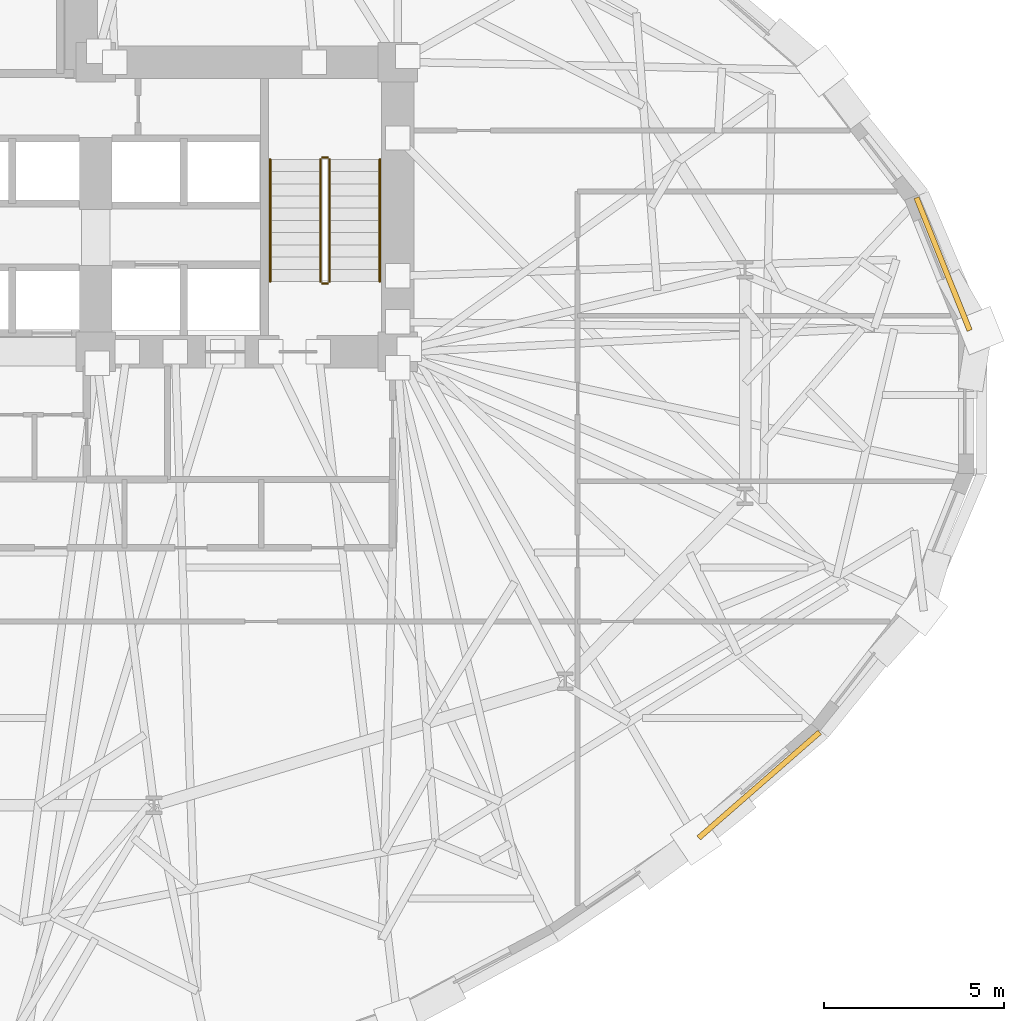
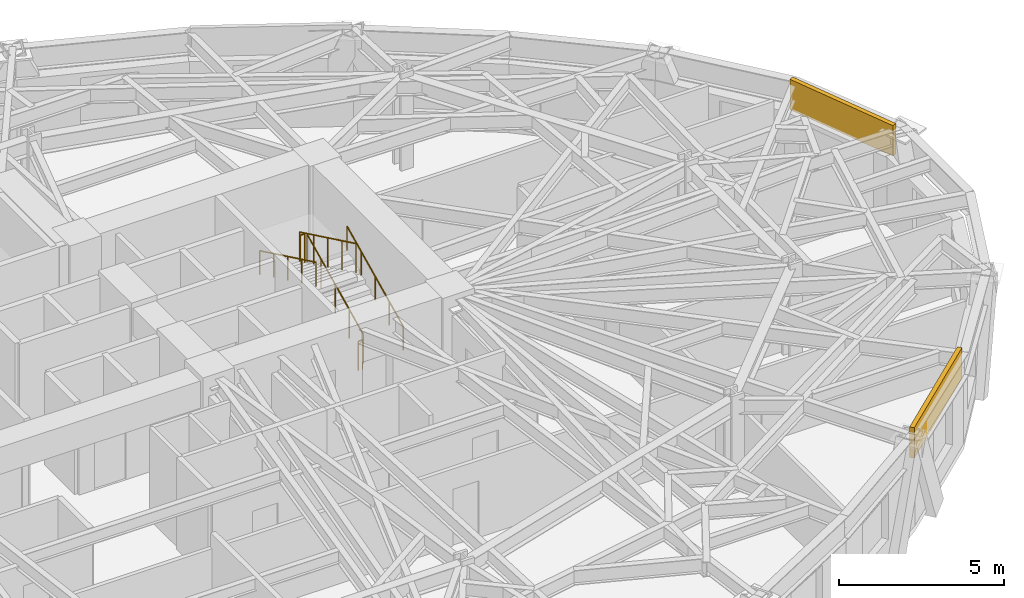
# One storey, part 13 of 14: 6 railings, 2 coverings.
"""IFC4 building model written with IfcOpenShell, lengths in metres."""

from ifc_helpers import new_model, si_unit, direction, frame, origin, origin_2d, place, context, subcontext, project, spatial, rectangle, circle, extrude, material, layer, layer_set, type_object, element, save


model = new_model("IFC4")

# Units and contexts
model_context = context("Model", 3, precision=1e-05, world=origin(), true_north=direction((0.0, 1.0)))
body_context = subcontext(model_context, "Body", "Model", "MODEL_VIEW")
ifc_project = project(units=[si_unit("LENGTHUNIT", "METRE"), si_unit("AREAUNIT", "SQUARE_METRE"), si_unit("VOLUMEUNIT", "CUBIC_METRE"), si_unit("PLANEANGLEUNIT", "RADIAN"), si_unit("MASSUNIT", "GRAM", prefix="KILO")], contexts=[model_context])

# Site, building, storey
site_placement = place(None, origin())
site = spatial("IfcSite", under=ifc_project, at=site_placement, CompositionType="ELEMENT")
building_placement = place(site_placement, origin())
building = spatial("IfcBuilding", under=site, at=building_placement, Name="Keldmark Tower", CompositionType="ELEMENT")
storey_placement = place(building_placement, frame((0.0, 0.0, 66.60009765625)))
storey = spatial("IfcBuildingStorey", under=building, at=storey_placement, Name="L17", CompositionType="ELEMENT", Elevation=66.60009765625)

# Coverings
ifc_material_1 = material(Name="Honed Kasota Buff Dolomitic Limestone", Category="masonry")
ifc_layer = layer(ifc_material_1, 0.074951171875)
ifc_layer_set = layer_set([ifc_layer], Name="Honed Kasota Buff Dolomitic Limestone")
covering_type = type_object("IfcCoveringType", Name="Kasota Buff Limestone Spandrel Cladding Band", PredefinedType="CLADDING", material=ifc_layer_set)
covering_1_placement = place(storey_placement, frame((28.7578125, 3.837890625, 2.452880859375), z_axis=(0.0, 0.0, 1.0), x_axis=(-0.371740523718, 0.928336675472, 0.0)))
element("IfcCovering", 1, at=covering_1_placement, inside=storey, type_object=covering_type, Name="L17 Kasota Limestone Spandrel Band 01", PredefinedType="CLADDING", context=body_context, shape_type="SweptSolid", body=[
    extrude(rectangle(XDim=3.974609375, YDim=0.14990234375, at=origin_2d()), origin(), (0.0, 0.0, 1.0), 1.126953125),
])
covering_2_placement = place(storey_placement, frame((23.645751953125, -10.64697265625, 2.452880859375), z_axis=(0.0, 0.0, 1.0), x_axis=(0.75308130866, 0.657927459943, 0.0)))
element("IfcCovering", 2, at=covering_2_placement, inside=storey, type_object=covering_type, Name="L17 Kasota Limestone Spandrel Band 29", PredefinedType="CLADDING", context=body_context, shape_type="SweptSolid", body=[
    extrude(rectangle(XDim=4.464111328125, YDim=0.14990234375, at=origin_2d()), origin(), (0.0, 0.0, 1.0), 1.126953125),
])

# Railings
ifc_material_2 = material(Name="Painted Steel ASTM A500 Grade B", Category="steel")
railing_type_1 = type_object("IfcRailingType", Name="Painted Steel Stair Well Guard 1100 mm", PredefinedType="GUARDRAIL", material=ifc_material_2)
railing_1_placement = place(storey_placement, frame((11.699951171875, 3.35009765625, 0.16357421875)))
element("IfcRailing", 3, at=railing_1_placement, inside=storey, type_object=railing_type_1, Name="L17 ST2 stair guard 1", PredefinedType="GUARDRAIL", context=body_context, shape_type="SweptSolid", body=[
    extrude(circle(Radius=0.02392578125, at=origin_2d()), frame((0.0, 0.0, 1.076171875), z_axis=(0.0, 0.901080338394, 0.433652192153), x_axis=(-1.0, 0.0, 0.0)), (0.0, 0.0, 1.0), 3.773193359375),
    extrude(circle(Radius=0.02099609375, at=origin_2d()), origin(), (0.0, 0.0, 1.0), 1.052001953125),
    extrude(circle(Radius=0.02099609375, at=origin_2d()), frame((0.0, 0.85009765625, 0.4091796875)), (0.0, 0.0, 1.0), 1.052001953125),
    extrude(circle(Radius=0.02099609375, at=origin_2d()), frame((0.0, 1.699951171875, 0.818115234375)), (0.0, 0.0, 1.0), 1.052001953125),
    extrude(circle(Radius=0.02099609375, at=origin_2d()), frame((0.0, 2.5498046875, 1.22705078125)), (0.0, 0.0, 1.0), 1.052001953125),
    extrude(circle(Radius=0.02099609375, at=origin_2d()), frame((0.0, 3.39990234375, 1.63623046875)), (0.0, 0.0, 1.0), 1.052001953125),
])
railing_2_placement = place(storey_placement, frame((11.64990234375, 6.800048828125, 1.7998046875)))
element("IfcRailing", 4, at=railing_2_placement, inside=storey, type_object=railing_type_1, Name="L17 ST2 stair guard 2", PredefinedType="GUARDRAIL", context=body_context, shape_type="SweptSolid", body=[
    extrude(circle(Radius=0.02392578125, at=origin_2d()), frame((0.0, 0.0, 1.076171875), z_axis=(-1.0, 0.0, 0.0), x_axis=(0.0, -1.0, 0.0)), (0.0, 0.0, 1.0), 0.14990234375),
    extrude(circle(Radius=0.02099609375, at=origin_2d()), origin(), (0.0, 0.0, 1.0), 1.052001953125),
    extrude(circle(Radius=0.02099609375, at=origin_2d()), frame((-0.14990234375, 0.0, 0.0)), (0.0, 0.0, 1.0), 1.052001953125),
])
railing_3_placement = place(storey_placement, frame((11.449951171875, 6.75, 1.963623046875)))
element("IfcRailing", 5, at=railing_3_placement, inside=storey, type_object=railing_type_1, Name="L17 ST2 stair guard 3", PredefinedType="GUARDRAIL", context=body_context, shape_type="SweptSolid", body=[
    extrude(circle(Radius=0.02392578125, at=origin_2d()), frame((0.0, 0.0, 1.076171875), z_axis=(0.0, -0.901080338394, 0.433652192153), x_axis=(1.0, 0.0, 0.0)), (0.0, 0.0, 1.0), 3.773193359375),
    extrude(circle(Radius=0.02099609375, at=origin_2d()), origin(), (0.0, 0.0, 1.0), 1.052001953125),
    extrude(circle(Radius=0.02099609375, at=origin_2d()), frame((0.0, -0.85009765625, 0.4091796875)), (0.0, 0.0, 1.0), 1.052001953125),
    extrude(circle(Radius=0.02099609375, at=origin_2d()), frame((0.0, -1.699951171875, 0.818115234375)), (0.0, 0.0, 1.0), 1.052001953125),
    extrude(circle(Radius=0.02099609375, at=origin_2d()), frame((0.0, -2.5498046875, 1.22705078125)), (0.0, 0.0, 1.0), 1.052001953125),
    extrude(circle(Radius=0.02099609375, at=origin_2d()), frame((0.0, -3.39990234375, 1.63623046875)), (0.0, 0.0, 1.0), 1.052001953125),
])
railing_4_placement = place(storey_placement, frame((11.64990234375, 3.300048828125, 0.0)))
element("IfcRailing", 6, at=railing_4_placement, inside=storey, type_object=railing_type_1, Name="L17 ST2 stair guard 4", PredefinedType="GUARDRAIL", context=body_context, shape_type="SweptSolid", body=[
    extrude(circle(Radius=0.02392578125, at=origin_2d()), frame((0.0, 0.0, 1.076171875), z_axis=(-1.0, 0.0, 0.0), x_axis=(0.0, -1.0, 0.0)), (0.0, 0.0, 1.0), 0.14990234375),
    extrude(circle(Radius=0.02099609375, at=origin_2d()), origin(), (0.0, 0.0, 1.0), 1.052001953125),
    extrude(circle(Radius=0.02099609375, at=origin_2d()), frame((-0.14990234375, 0.0, 0.0)), (0.0, 0.0, 1.0), 1.052001953125),
])
ifc_material_3 = material(Name="Stainless Steel AISI 316L", Category="steel")
railing_type_2 = type_object("IfcRailingType", Name="Stainless Steel Stair Handrail 900 mm", PredefinedType="HANDRAIL", material=ifc_material_3)
railing_5_placement = place(storey_placement, frame((13.10009765625, 3.35009765625, 0.16357421875)))
element("IfcRailing", 7, at=railing_5_placement, inside=storey, type_object=railing_type_2, Name="L17 ST2 stair handrail 1", PredefinedType="HANDRAIL", context=body_context, shape_type="SweptSolid", body=[
    extrude(circle(Radius=0.02392578125, at=origin_2d()), frame((0.0, 0.0, 0.8759765625), z_axis=(0.0, 0.901080338394, 0.433652192153), x_axis=(-1.0, 0.0, 0.0)), (0.0, 0.0, 1.0), 3.773193359375),
    extrude(circle(Radius=0.02099609375, at=origin_2d()), origin(), (0.0, 0.0, 1.0), 0.851806640625),
    extrude(circle(Radius=0.02099609375, at=origin_2d()), frame((0.0, 0.85009765625, 0.4091796875)), (0.0, 0.0, 1.0), 0.851806640625),
    extrude(circle(Radius=0.02099609375, at=origin_2d()), frame((0.0, 1.699951171875, 0.818115234375)), (0.0, 0.0, 1.0), 0.851806640625),
    extrude(circle(Radius=0.02099609375, at=origin_2d()), frame((0.0, 2.5498046875, 1.22705078125)), (0.0, 0.0, 1.0), 0.851806640625),
    extrude(circle(Radius=0.02099609375, at=origin_2d()), frame((0.0, 3.39990234375, 1.63623046875)), (0.0, 0.0, 1.0), 0.851806640625),
])
railing_6_placement = place(storey_placement, frame((10.050048828125, 6.75, 1.963623046875)))
element("IfcRailing", 8, at=railing_6_placement, inside=storey, type_object=railing_type_2, Name="L17 ST2 stair handrail 2", PredefinedType="HANDRAIL", context=body_context, shape_type="SweptSolid", body=[
    extrude(circle(Radius=0.02392578125, at=origin_2d()), frame((0.0, 0.0, 0.8759765625), z_axis=(0.0, -0.901080338394, 0.433652192153), x_axis=(1.0, 0.0, 0.0)), (0.0, 0.0, 1.0), 3.773193359375),
    extrude(circle(Radius=0.02099609375, at=origin_2d()), origin(), (0.0, 0.0, 1.0), 0.851806640625),
    extrude(circle(Radius=0.02099609375, at=origin_2d()), frame((0.0, -0.85009765625, 0.4091796875)), (0.0, 0.0, 1.0), 0.851806640625),
    extrude(circle(Radius=0.02099609375, at=origin_2d()), frame((0.0, -1.699951171875, 0.818115234375)), (0.0, 0.0, 1.0), 0.851806640625),
    extrude(circle(Radius=0.02099609375, at=origin_2d()), frame((0.0, -2.5498046875, 1.22705078125)), (0.0, 0.0, 1.0), 0.851806640625),
    extrude(circle(Radius=0.02099609375, at=origin_2d()), frame((0.0, -3.39990234375, 1.63623046875)), (0.0, 0.0, 1.0), 0.851806640625),
])

save(model, "model.ifc")
